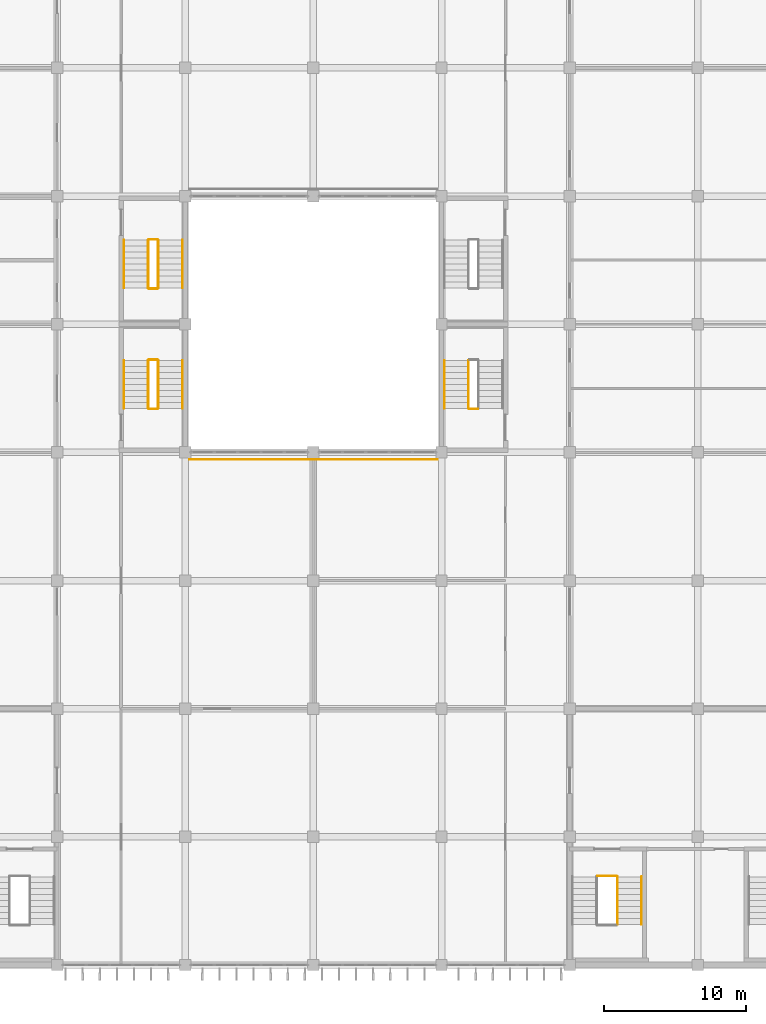
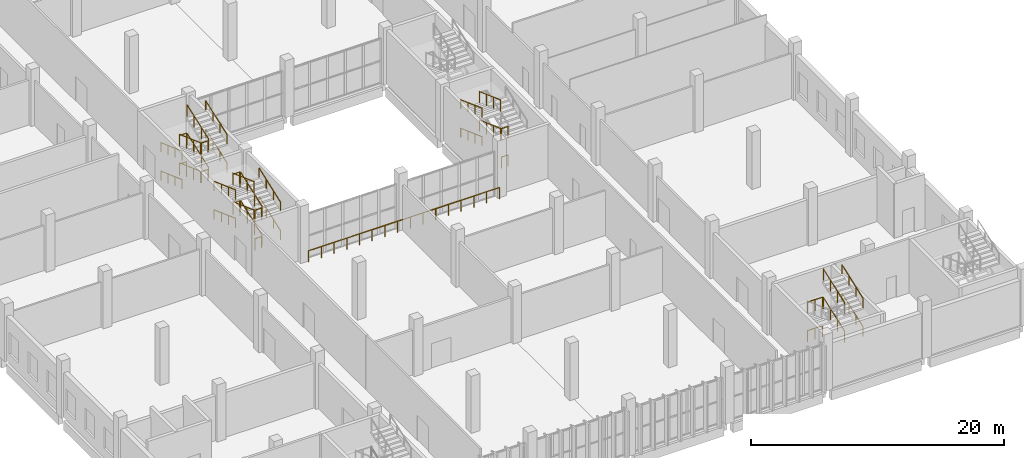
# One storey, part 165 of 185: 37 railings.
"""IFC4 building model written with IfcOpenShell, lengths in metres."""

import ifcopenshell
import ifcopenshell.guid

model = None  # the IFC model being written
_history = None  # IfcOwnerHistory: only IFC2X3 demands one
_inside = {}  # id of a spatial element -> (the spatial element, [elements in it])
_under = {}  # id of a project, library or spatial element -> (it, [spatial elements below it])
_declared = {}  # id of a project -> (the project, [libraries it declares])
_typed = {}  # id of a type object -> (the type object, [elements of that type])
_made_of = {}  # id of a material, layer set ... -> (it, [elements and type objects made of it])


def new_model(schema):
    """Start an empty IFC model of exactly this schema.

    Asked for "IFC4X3", IfcOpenShell would pick the latest addendum, in which some entities
    have other attributes; the version numbers below select the first issue.
    IFC2X3 requires an IfcOwnerHistory on every rooted entity: one is made here for all.
    """
    global model, _history
    if schema == "IFC4X3":
        model = ifcopenshell.file(schema_version=(4, 3, 0, 0))
    else:
        model = ifcopenshell.file(schema=schema)
    _inside.clear()
    _under.clear()
    _declared.clear()
    _typed.clear()
    _made_of.clear()
    _history = None
    if model.schema == "IFC2X3":
        org = make("IfcOrganization", Name="unknown")
        user = make(
            "IfcPersonAndOrganization",
            ThePerson=make("IfcPerson", FamilyName="unknown"),
            TheOrganization=org,
        )
        app = make(
            "IfcApplication",
            ApplicationDeveloper=org,
            Version="unknown",
            ApplicationFullName="unknown",
            ApplicationIdentifier="unknown",
        )
        _history = make(
            "IfcOwnerHistory",
            OwningUser=user,
            OwningApplication=app,
            ChangeAction="ADDED",
            CreationDate=0,
        )
    return model


def make(cls, **values):
    """One entity of the class cls with the attributes given. An attribute that is None is left unset."""
    return model.create_entity(
        cls, **{name: value for name, value in values.items() if value is not None}
    )


def rooted(cls, **values):
    """An entity with a GlobalId (a new one), such as an element, a storey or a relation."""
    return make(cls, GlobalId=ifcopenshell.guid.new(), OwnerHistory=_history, **values)


def si_unit(unit_type, name, prefix=None):
    """IfcSIUnit, for example si_unit("LENGTHUNIT", "METRE", prefix="MILLI")."""
    return make("IfcSIUnit", UnitType=unit_type, Prefix=prefix, Name=name)


def assignment(units):
    """IfcUnitAssignment: the units of a project."""
    return None if units is None else make("IfcUnitAssignment", Units=units)


def point(xyz):
    """IfcCartesianPoint."""
    return None if xyz is None else make("IfcCartesianPoint", Coordinates=xyz)


def direction(xyz):
    """IfcDirection."""
    return None if xyz is None else make("IfcDirection", DirectionRatios=xyz)


def frame(location, z_axis=None, x_axis=None):
    """IfcAxis2Placement3D, a coordinate frame: its origin and axes. An axis left out is left unset."""
    return make(
        "IfcAxis2Placement3D",
        Location=point(location),
        Axis=direction(z_axis),
        RefDirection=direction(x_axis),
    )


def frame_2d(location, x_axis=None):
    """IfcAxis2Placement2D, a coordinate frame in the plane: its origin and x axis."""
    return make(
        "IfcAxis2Placement2D", Location=point(location), RefDirection=direction(x_axis)
    )


def origin():
    """The frame at (0, 0, 0) with its axes left unset."""
    return frame((0.0, 0.0, 0.0))


def origin_2d():
    """The frame at (0, 0) in the plane with its x axis left unset."""
    return frame_2d((0.0, 0.0))


def place(relative_to, where):
    """IfcLocalPlacement: puts the frame where relative to a parent placement (None: the world)."""
    return make(
        "IfcLocalPlacement", PlacementRelTo=relative_to, RelativePlacement=where
    )


def context(
    kind, dimensions, precision=None, world=None, true_north=None, identifier=None
):
    """IfcGeometricRepresentationContext, for example the 3D "Model" context."""
    return make(
        "IfcGeometricRepresentationContext",
        ContextIdentifier=identifier,
        ContextType=kind,
        CoordinateSpaceDimension=dimensions,
        Precision=precision,
        WorldCoordinateSystem=world,
        TrueNorth=true_north,
    )


def subcontext(parent, identifier, kind, view, scale=None):
    """IfcGeometricRepresentationSubContext, for example "Body" below "Model"."""
    return make(
        "IfcGeometricRepresentationSubContext",
        ContextIdentifier=identifier,
        ContextType=kind,
        ParentContext=parent,
        TargetScale=scale,
        TargetView=view,
    )


def project(units=None, contexts=None):
    """IfcProject with its units and contexts."""
    return rooted(
        "IfcProject",
        Name="project",
        RepresentationContexts=contexts,
        UnitsInContext=assignment(units),
    )


def spatial(cls, under=None, at=None, **own):
    """A site, building, storey or space (cls), placed at a placement, below another one or the project."""
    s = rooted(cls, ObjectPlacement=at, **own)
    if under is not None:
        _under.setdefault(under.id(), (under, []))[1].append(s)
    return s


def profile(cls, at=None, kind="AREA", **sizes):
    """A parametric profile (cls). Its sizes go by their IFC names, for example OverallWidth=200.0."""
    return make(cls, ProfileType=kind, Position=at, **sizes)


def circle(**sizes):
    """IfcCircleProfileDef."""
    return profile("IfcCircleProfileDef", **sizes)


def extrude(swept, where, along, depth):
    """IfcExtrudedAreaSolid: the profile swept, set in the frame where, extruded along a direction by depth."""
    return make(
        "IfcExtrudedAreaSolid",
        SweptArea=swept,
        Position=where,
        ExtrudedDirection=direction(along),
        Depth=depth,
    )


def shape(context_of_items, identifier, shape_type, items):
    """IfcShapeRepresentation: the items that make up one representation, for example the "Body"."""
    return make(
        "IfcShapeRepresentation",
        ContextOfItems=context_of_items,
        RepresentationIdentifier=identifier,
        RepresentationType=shape_type,
        Items=items,
    )


def material(Name=None, Category=None):
    """IfcMaterial."""
    return make("IfcMaterial", Name=Name, Category=Category)


def constituent(of_material, Name=None, Category=None, fraction=None):
    """IfcMaterialConstituent: one of the materials an element consists of."""
    return make(
        "IfcMaterialConstituent",
        Name=Name,
        Material=of_material,
        Fraction=fraction,
        Category=Category,
    )


def constituent_set(constituents=None, Name=None):
    """IfcMaterialConstituentSet."""
    return make(
        "IfcMaterialConstituentSet", Name=Name, MaterialConstituents=constituents
    )


def made_of(thing, what):
    """Note that an element or type object is made of a material, layer set ...; save() writes the relation."""
    if what is not None:
        _made_of.setdefault(what.id(), (what, []))[1].append(thing)
    return thing


def type_object(cls, material=None, **own):
    """A type object (cls), such as IfcWallType, which elements share."""
    return made_of(rooted(cls, **own), material)


def element(
    cls,
    number,
    at=None,
    inside=None,
    cuts=None,
    type_object=None,
    material=None,
    context=None,
    identifier="Body",
    shape_type=None,
    held_by="IfcProductDefinitionShape",
    body=None,
    shapes=None,
    **own,
):
    """One element of the class cls, such as IfcWall. Its Tag is "e" and its number.

    at: its placement. inside: the storey or other place that contains it. cuts: it is an
    opening in that element (IfcRelVoidsElement). A single representation is given by context,
    identifier, shape_type and body (its items); several are given by shapes. held_by: the class
    of the entity that holds the representations. save() writes the other relations.
    """
    e = rooted(cls, Tag="e%d" % number, ObjectPlacement=at, **own)
    if body is not None:
        shapes = [shape(context, identifier, shape_type, body)]
    if shapes is not None:
        e.Representation = make(held_by, Representations=shapes)
    if inside is not None:
        _inside.setdefault(inside.id(), (inside, []))[1].append(e)
    if cuts is not None:
        rooted(
            "IfcRelVoidsElement", RelatingBuildingElement=cuts, RelatedOpeningElement=e
        )
    if type_object is not None:
        _typed.setdefault(type_object.id(), (type_object, []))[1].append(e)
    return made_of(e, material)


def aggregate(whole, parts):
    """IfcRelAggregates: a whole, such as a stair, and the parts it consists of."""
    return rooted("IfcRelAggregates", RelatingObject=whole, RelatedObjects=parts)


def save(model, path):
    """Write the relations noted so far, then the file.

    IfcRelAggregates (storeys below a building ...), IfcRelContainedInSpatialStructure (elements
    in a storey), IfcRelDefinesByType, IfcRelAssociatesMaterial and IfcRelDeclares: one each for
    every whole, place, type object, material and project.
    """
    for whole, parts in _under.values():
        aggregate(whole, parts)
    for where, things in _inside.values():
        rooted(
            "IfcRelContainedInSpatialStructure",
            RelatedElements=things,
            RelatingStructure=where,
        )
    for kind, things in _typed.values():
        rooted("IfcRelDefinesByType", RelatedObjects=things, RelatingType=kind)
    for what, things in _made_of.values():
        rooted("IfcRelAssociatesMaterial", RelatedObjects=things, RelatingMaterial=what)
    for by, libraries in _declared.values():
        rooted("IfcRelDeclares", RelatingContext=by, RelatedDefinitions=libraries)
    model.write(path)


model = new_model("IFC4")

# Units and contexts
model_context = context("Model", 3, precision=1e-05, world=origin(), true_north=direction((0.0, 1.0)))
body_context = subcontext(model_context, "Body", "Model", "MODEL_VIEW")
ifc_project = project(units=[si_unit("LENGTHUNIT", "METRE"), si_unit("AREAUNIT", "SQUARE_METRE"), si_unit("VOLUMEUNIT", "CUBIC_METRE"), si_unit("PLANEANGLEUNIT", "RADIAN"), si_unit("MASSUNIT", "GRAM", prefix="KILO")], contexts=[model_context])

# Site, building, storey
site_placement = place(None, origin())
site = spatial("IfcSite", under=ifc_project, at=site_placement, CompositionType="ELEMENT")
building_placement = place(site_placement, origin())
building = spatial("IfcBuilding", under=site, at=building_placement, Name="Opaline Strait Convention Centre", CompositionType="ELEMENT")
storey_placement = place(building_placement, frame((0.0, 0.0, 6.0)))
storey = spatial("IfcBuildingStorey", under=building, at=storey_placement, Name="L01", CompositionType="ELEMENT", Elevation=6.0)

# Railings
ifc_material_1 = material(Name="Steel Q235B", Category="steel")
ifc_constituent_1 = constituent(ifc_material_1, Name="Frame")
ifc_material_2 = material(Name="Safety glass, bonded interlayer", Category="glass")
ifc_constituent_2 = constituent(ifc_material_2, Name="Infill")
ifc_constituent_set_1 = constituent_set(constituents=[ifc_constituent_1, ifc_constituent_2], Name="Steel Q235B, Safety glass, bonded interlayer")
railing_type_1 = type_object("IfcRailingType", Name="Court guard 1100 Q235B and glass", PredefinedType="GUARDRAIL", material=ifc_constituent_set_1)
railing_1_placement = place(storey_placement, frame((36.300048828125, 44.5, 0.0)))
element("IfcRailing", 1, at=railing_1_placement, inside=storey, type_object=railing_type_1, Name="L01 court edge guard S", PredefinedType="GUARDRAIL", context=body_context, shape_type="SweptSolid", body=[
    extrude(circle(Radius=0.02392578125, at=origin_2d()), frame((0.0, 0.0, 1.076171875), z_axis=(1.0, 0.0, 0.0), x_axis=(0.0, 1.0, 0.0)), (0.0, 0.0, 1.0), 17.39990234375),
    extrude(circle(Radius=0.02099609375, at=origin_2d()), origin(), (0.0, 0.0, 1.0), 1.052001953125),
    extrude(circle(Radius=0.02099609375, at=origin_2d()), frame((1.159912109375, 0.0, 0.0)), (0.0, 0.0, 1.0), 1.052001953125),
    extrude(circle(Radius=0.02099609375, at=origin_2d()), frame((2.320068359375, 0.0, 0.0)), (0.0, 0.0, 1.0), 1.052001953125),
    extrude(circle(Radius=0.02099609375, at=origin_2d()), frame((3.47998046875, 0.0, 0.0)), (0.0, 0.0, 1.0), 1.052001953125),
    extrude(circle(Radius=0.02099609375, at=origin_2d()), frame((4.639892578125, 0.0, 0.0)), (0.0, 0.0, 1.0), 1.052001953125),
    extrude(circle(Radius=0.02099609375, at=origin_2d()), frame((5.800048828125, 0.0, 0.0)), (0.0, 0.0, 1.0), 1.052001953125),
    extrude(circle(Radius=0.02099609375, at=origin_2d()), frame((6.9599609375, 0.0, 0.0)), (0.0, 0.0, 1.0), 1.052001953125),
    extrude(circle(Radius=0.02099609375, at=origin_2d()), frame((8.119873046875, 0.0, 0.0)), (0.0, 0.0, 1.0), 1.052001953125),
    extrude(circle(Radius=0.02099609375, at=origin_2d()), frame((9.280029296875, 0.0, 0.0)), (0.0, 0.0, 1.0), 1.052001953125),
    extrude(circle(Radius=0.02099609375, at=origin_2d()), frame((10.43994140625, 0.0, 0.0)), (0.0, 0.0, 1.0), 1.052001953125),
    extrude(circle(Radius=0.02099609375, at=origin_2d()), frame((11.599853515625, 0.0, 0.0)), (0.0, 0.0, 1.0), 1.052001953125),
    extrude(circle(Radius=0.02099609375, at=origin_2d()), frame((12.760009765625, 0.0, 0.0)), (0.0, 0.0, 1.0), 1.052001953125),
    extrude(circle(Radius=0.02099609375, at=origin_2d()), frame((13.919921875, 0.0, 0.0)), (0.0, 0.0, 1.0), 1.052001953125),
    extrude(circle(Radius=0.02099609375, at=origin_2d()), frame((15.079833984375, 0.0, 0.0)), (0.0, 0.0, 1.0), 1.052001953125),
    extrude(circle(Radius=0.02099609375, at=origin_2d()), frame((16.239990234375, 0.0, 0.0)), (0.0, 0.0, 1.0), 1.052001953125),
    extrude(circle(Radius=0.02099609375, at=origin_2d()), frame((17.39990234375, 0.0, 0.0)), (0.0, 0.0, 1.0), 1.052001953125),
])
ifc_constituent_3 = constituent(ifc_material_1, Name="Frame")
ifc_constituent_4 = constituent(ifc_material_2, Name="Infill")
ifc_constituent_set_2 = constituent_set(constituents=[ifc_constituent_3, ifc_constituent_4], Name="Steel Q235B, Safety glass, bonded interlayer")
railing_type_2 = type_object("IfcRailingType", Name="Stair guard 1100 Q235B and glass", PredefinedType="GUARDRAIL", material=ifc_constituent_set_2)
railing_2_placement = place(storey_placement, frame((66.35009765625, 11.840087890625, 1.52783203125)))
element("IfcRailing", 2, at=railing_2_placement, inside=storey, type_object=railing_type_2, Name="L01 SEB stair guard 3", PredefinedType="GUARDRAIL", context=body_context, shape_type="SweptSolid", body=[
    extrude(circle(Radius=0.02392578125, at=origin_2d()), frame((0.0, 0.0, 1.076171875), z_axis=(0.0, 0.93975753056, 0.341841752506), x_axis=(-1.0, 0.0, 0.0)), (0.0, 0.0, 1.0), 3.5751953125),
    extrude(circle(Radius=0.02099609375, at=origin_2d()), origin(), (0.0, 0.0, 1.0), 1.052001953125),
    extrude(circle(Radius=0.02099609375, at=origin_2d()), frame((0.0, 1.119873046875, 0.407470703125)), (0.0, 0.0, 1.0), 1.052001953125),
    extrude(circle(Radius=0.02099609375, at=origin_2d()), frame((0.0, 2.239990234375, 0.814697265625)), (0.0, 0.0, 1.0), 1.052001953125),
    extrude(circle(Radius=0.02099609375, at=origin_2d()), frame((0.0, 3.35986328125, 1.22216796875)), (0.0, 0.0, 1.0), 1.052001953125),
])
railing_3_placement = place(storey_placement, frame((64.949951171875, 15.25, 2.75)))
element("IfcRailing", 3, at=railing_3_placement, inside=storey, type_object=railing_type_2, Name="L01 SEB stair guard 4", PredefinedType="GUARDRAIL", context=body_context, shape_type="SweptSolid", body=[
    extrude(circle(Radius=0.02392578125, at=origin_2d()), frame((0.0, 0.0, 1.076171875), z_axis=(1.0, 0.0, 0.0), x_axis=(0.0, 1.0, 0.0)), (0.0, 0.0, 1.0), 1.35009765625),
    extrude(circle(Radius=0.02099609375, at=origin_2d()), origin(), (0.0, 0.0, 1.0), 1.052001953125),
    extrude(circle(Radius=0.02099609375, at=origin_2d()), frame((0.675048828125, 0.0, 0.0)), (0.0, 0.0, 1.0), 1.052001953125),
    extrude(circle(Radius=0.02099609375, at=origin_2d()), frame((1.35009765625, 0.0, 0.0)), (0.0, 0.0, 1.0), 1.052001953125),
])
railing_4_placement = place(storey_placement, frame((66.35009765625, 11.840087890625, 4.27783203125)))
element("IfcRailing", 4, at=railing_4_placement, inside=storey, type_object=railing_type_2, Name="L01 SEB stair guard 7", PredefinedType="GUARDRAIL", context=body_context, shape_type="SweptSolid", body=[
    extrude(circle(Radius=0.02392578125, at=origin_2d()), frame((0.0, 0.0, 1.076171875), z_axis=(0.0, 0.93975753056, 0.341841752506), x_axis=(-1.0, 0.0, 0.0)), (0.0, 0.0, 1.0), 3.5751953125),
    extrude(circle(Radius=0.02099609375, at=origin_2d()), origin(), (0.0, 0.0, 1.0), 1.052001953125),
    extrude(circle(Radius=0.02099609375, at=origin_2d()), frame((0.0, 1.119873046875, 0.407470703125)), (0.0, 0.0, 1.0), 1.052001953125),
    extrude(circle(Radius=0.02099609375, at=origin_2d()), frame((0.0, 2.239990234375, 0.814697265625)), (0.0, 0.0, 1.0), 1.052001953125),
    extrude(circle(Radius=0.02099609375, at=origin_2d()), frame((0.0, 3.35986328125, 1.22216796875)), (0.0, 0.0, 1.0), 1.052001953125),
])
railing_5_placement = place(storey_placement, frame((64.949951171875, 15.25, 0.0)))
element("IfcRailing", 5, at=railing_5_placement, inside=storey, type_object=railing_type_2, Name="L01 SEB stair guard 8", PredefinedType="GUARDRAIL", context=body_context, shape_type="SweptSolid", body=[
    extrude(circle(Radius=0.02392578125, at=origin_2d()), frame((0.0, 0.0, 1.076171875), z_axis=(1.0, 0.0, 0.0), x_axis=(0.0, 1.0, 0.0)), (0.0, 0.0, 1.0), 1.35009765625),
    extrude(circle(Radius=0.02099609375, at=origin_2d()), origin(), (0.0, 0.0, 1.0), 1.052001953125),
    extrude(circle(Radius=0.02099609375, at=origin_2d()), frame((0.675048828125, 0.0, 0.0)), (0.0, 0.0, 1.0), 1.052001953125),
    extrude(circle(Radius=0.02099609375, at=origin_2d()), frame((1.35009765625, 0.0, 0.0)), (0.0, 0.0, 1.0), 1.052001953125),
])
railing_6_placement = place(storey_placement, frame((55.89990234375, 51.4599609375, 1.52783203125)))
element("IfcRailing", 6, at=railing_6_placement, inside=storey, type_object=railing_type_2, Name="L01 ME1 stair guard 3", PredefinedType="GUARDRAIL", context=body_context, shape_type="SweptSolid", body=[
    extrude(circle(Radius=0.02392578125, at=origin_2d()), frame((0.0, 0.0, 1.076171875), z_axis=(0.0, -0.93975753056, 0.341841752506), x_axis=(1.0, 0.0, 0.0)), (0.0, 0.0, 1.0), 3.5751953125),
    extrude(circle(Radius=0.02099609375, at=origin_2d()), origin(), (0.0, 0.0, 1.0), 1.052001953125),
    extrude(circle(Radius=0.02099609375, at=origin_2d()), frame((0.0, -1.119873046875, 0.407470703125)), (0.0, 0.0, 1.0), 1.052001953125),
    extrude(circle(Radius=0.02099609375, at=origin_2d()), frame((0.0, -2.239990234375, 0.814697265625)), (0.0, 0.0, 1.0), 1.052001953125),
    extrude(circle(Radius=0.02099609375, at=origin_2d()), frame((0.0, -3.35986328125, 1.22216796875)), (0.0, 0.0, 1.0), 1.052001953125),
])
railing_7_placement = place(storey_placement, frame((56.550048828125, 48.050048828125, 2.75)))
element("IfcRailing", 7, at=railing_7_placement, inside=storey, type_object=railing_type_2, Name="L01 ME1 stair guard 4", PredefinedType="GUARDRAIL", context=body_context, shape_type="SweptSolid", body=[
    extrude(circle(Radius=0.02392578125, at=origin_2d()), frame((0.0, 0.0, 1.076171875), z_axis=(-1.0, 0.0, 0.0), x_axis=(0.0, -1.0, 0.0)), (0.0, 0.0, 1.0), 0.60009765625),
    extrude(circle(Radius=0.02099609375, at=origin_2d()), origin(), (0.0, 0.0, 1.0), 1.052001953125),
    extrude(circle(Radius=0.02099609375, at=origin_2d()), frame((-0.60009765625, 0.0, 0.0)), (0.0, 0.0, 1.0), 1.052001953125),
])
railing_8_placement = place(storey_placement, frame((55.89990234375, 51.4599609375, 4.27783203125)))
element("IfcRailing", 8, at=railing_8_placement, inside=storey, type_object=railing_type_2, Name="L01 ME1 stair guard 7", PredefinedType="GUARDRAIL", context=body_context, shape_type="SweptSolid", body=[
    extrude(circle(Radius=0.02392578125, at=origin_2d()), frame((0.0, 0.0, 1.076171875), z_axis=(0.0, -0.93975753056, 0.341841752506), x_axis=(1.0, 0.0, 0.0)), (0.0, 0.0, 1.0), 3.5751953125),
    extrude(circle(Radius=0.02099609375, at=origin_2d()), origin(), (0.0, 0.0, 1.0), 1.052001953125),
    extrude(circle(Radius=0.02099609375, at=origin_2d()), frame((0.0, -1.119873046875, 0.407470703125)), (0.0, 0.0, 1.0), 1.052001953125),
    extrude(circle(Radius=0.02099609375, at=origin_2d()), frame((0.0, -2.239990234375, 0.814697265625)), (0.0, 0.0, 1.0), 1.052001953125),
    extrude(circle(Radius=0.02099609375, at=origin_2d()), frame((0.0, -3.35986328125, 1.22216796875)), (0.0, 0.0, 1.0), 1.052001953125),
])
railing_9_placement = place(storey_placement, frame((56.550048828125, 48.050048828125, 0.0)))
element("IfcRailing", 9, at=railing_9_placement, inside=storey, type_object=railing_type_2, Name="L01 ME1 stair guard 8", PredefinedType="GUARDRAIL", context=body_context, shape_type="SweptSolid", body=[
    extrude(circle(Radius=0.02392578125, at=origin_2d()), frame((0.0, 0.0, 1.076171875), z_axis=(-1.0, 0.0, 0.0), x_axis=(0.0, -1.0, 0.0)), (0.0, 0.0, 1.0), 0.60009765625),
    extrude(circle(Radius=0.02099609375, at=origin_2d()), origin(), (0.0, 0.0, 1.0), 1.052001953125),
    extrude(circle(Radius=0.02099609375, at=origin_2d()), frame((-0.60009765625, 0.0, 0.0)), (0.0, 0.0, 1.0), 1.052001953125),
])
railing_10_placement = place(storey_placement, frame((34.10009765625, 48.10009765625, 0.15283203125)))
element("IfcRailing", 10, at=railing_10_placement, inside=storey, type_object=railing_type_2, Name="L01 MW1 stair guard 1", PredefinedType="GUARDRAIL", context=body_context, shape_type="SweptSolid", body=[
    extrude(circle(Radius=0.02392578125, at=origin_2d()), frame((0.0, 0.0, 1.076171875), z_axis=(0.0, 0.93975753056, 0.341841752506), x_axis=(-1.0, 0.0, 0.0)), (0.0, 0.0, 1.0), 3.5751953125),
    extrude(circle(Radius=0.02099609375, at=origin_2d()), origin(), (0.0, 0.0, 1.0), 1.052001953125),
    extrude(circle(Radius=0.02099609375, at=origin_2d()), frame((0.0, 1.119873046875, 0.407470703125)), (0.0, 0.0, 1.0), 1.052001953125),
    extrude(circle(Radius=0.02099609375, at=origin_2d()), frame((0.0, 2.239990234375, 0.814697265625)), (0.0, 0.0, 1.0), 1.052001953125),
    extrude(circle(Radius=0.02099609375, at=origin_2d()), frame((0.0, 3.35986328125, 1.22216796875)), (0.0, 0.0, 1.0), 1.052001953125),
])
railing_11_placement = place(storey_placement, frame((34.050048828125, 51.510009765625, 1.375)))
element("IfcRailing", 11, at=railing_11_placement, inside=storey, type_object=railing_type_2, Name="L01 MW1 stair guard 2", PredefinedType="GUARDRAIL", context=body_context, shape_type="SweptSolid", body=[
    extrude(circle(Radius=0.02392578125, at=origin_2d()), frame((0.0, 0.0, 1.076171875), z_axis=(-1.0, 0.0, 0.0), x_axis=(0.0, -1.0, 0.0)), (0.0, 0.0, 1.0), 0.60009765625),
    extrude(circle(Radius=0.02099609375, at=origin_2d()), origin(), (0.0, 0.0, 1.0), 1.052001953125),
    extrude(circle(Radius=0.02099609375, at=origin_2d()), frame((-0.60009765625, 0.0, 0.0)), (0.0, 0.0, 1.0), 1.052001953125),
])
railing_12_placement = place(storey_placement, frame((33.39990234375, 51.4599609375, 1.52783203125)))
element("IfcRailing", 12, at=railing_12_placement, inside=storey, type_object=railing_type_2, Name="L01 MW1 stair guard 3", PredefinedType="GUARDRAIL", context=body_context, shape_type="SweptSolid", body=[
    extrude(circle(Radius=0.02392578125, at=origin_2d()), frame((0.0, 0.0, 1.076171875), z_axis=(0.0, -0.93975753056, 0.341841752506), x_axis=(1.0, 0.0, 0.0)), (0.0, 0.0, 1.0), 3.5751953125),
    extrude(circle(Radius=0.02099609375, at=origin_2d()), origin(), (0.0, 0.0, 1.0), 1.052001953125),
    extrude(circle(Radius=0.02099609375, at=origin_2d()), frame((0.0, -1.119873046875, 0.407470703125)), (0.0, 0.0, 1.0), 1.052001953125),
    extrude(circle(Radius=0.02099609375, at=origin_2d()), frame((0.0, -2.239990234375, 0.814697265625)), (0.0, 0.0, 1.0), 1.052001953125),
    extrude(circle(Radius=0.02099609375, at=origin_2d()), frame((0.0, -3.35986328125, 1.22216796875)), (0.0, 0.0, 1.0), 1.052001953125),
])
railing_13_placement = place(storey_placement, frame((34.050048828125, 48.050048828125, 2.75)))
element("IfcRailing", 13, at=railing_13_placement, inside=storey, type_object=railing_type_2, Name="L01 MW1 stair guard 4", PredefinedType="GUARDRAIL", context=body_context, shape_type="SweptSolid", body=[
    extrude(circle(Radius=0.02392578125, at=origin_2d()), frame((0.0, 0.0, 1.076171875), z_axis=(-1.0, 0.0, 0.0), x_axis=(0.0, -1.0, 0.0)), (0.0, 0.0, 1.0), 0.60009765625),
    extrude(circle(Radius=0.02099609375, at=origin_2d()), origin(), (0.0, 0.0, 1.0), 1.052001953125),
    extrude(circle(Radius=0.02099609375, at=origin_2d()), frame((-0.60009765625, 0.0, 0.0)), (0.0, 0.0, 1.0), 1.052001953125),
])
railing_14_placement = place(storey_placement, frame((34.10009765625, 48.10009765625, 2.90283203125)))
element("IfcRailing", 14, at=railing_14_placement, inside=storey, type_object=railing_type_2, Name="L01 MW1 stair guard 5", PredefinedType="GUARDRAIL", context=body_context, shape_type="SweptSolid", body=[
    extrude(circle(Radius=0.02392578125, at=origin_2d()), frame((0.0, 0.0, 1.076171875), z_axis=(0.0, 0.93975753056, 0.341841752506), x_axis=(-1.0, 0.0, 0.0)), (0.0, 0.0, 1.0), 3.5751953125),
    extrude(circle(Radius=0.02099609375, at=origin_2d()), origin(), (0.0, 0.0, 1.0), 1.052001953125),
    extrude(circle(Radius=0.02099609375, at=origin_2d()), frame((0.0, 1.119873046875, 0.407470703125)), (0.0, 0.0, 1.0), 1.052001953125),
    extrude(circle(Radius=0.02099609375, at=origin_2d()), frame((0.0, 2.239990234375, 0.814697265625)), (0.0, 0.0, 1.0), 1.052001953125),
    extrude(circle(Radius=0.02099609375, at=origin_2d()), frame((0.0, 3.35986328125, 1.22216796875)), (0.0, 0.0, 1.0), 1.052001953125),
])
railing_15_placement = place(storey_placement, frame((34.050048828125, 51.510009765625, 4.125)))
element("IfcRailing", 15, at=railing_15_placement, inside=storey, type_object=railing_type_2, Name="L01 MW1 stair guard 6", PredefinedType="GUARDRAIL", context=body_context, shape_type="SweptSolid", body=[
    extrude(circle(Radius=0.02392578125, at=origin_2d()), frame((0.0, 0.0, 1.076171875), z_axis=(-1.0, 0.0, 0.0), x_axis=(0.0, -1.0, 0.0)), (0.0, 0.0, 1.0), 0.60009765625),
    extrude(circle(Radius=0.02099609375, at=origin_2d()), origin(), (0.0, 0.0, 1.0), 1.052001953125),
    extrude(circle(Radius=0.02099609375, at=origin_2d()), frame((-0.60009765625, 0.0, 0.0)), (0.0, 0.0, 1.0), 1.052001953125),
])
railing_16_placement = place(storey_placement, frame((33.39990234375, 51.4599609375, 4.27783203125)))
element("IfcRailing", 16, at=railing_16_placement, inside=storey, type_object=railing_type_2, Name="L01 MW1 stair guard 7", PredefinedType="GUARDRAIL", context=body_context, shape_type="SweptSolid", body=[
    extrude(circle(Radius=0.02392578125, at=origin_2d()), frame((0.0, 0.0, 1.076171875), z_axis=(0.0, -0.93975753056, 0.341841752506), x_axis=(1.0, 0.0, 0.0)), (0.0, 0.0, 1.0), 3.5751953125),
    extrude(circle(Radius=0.02099609375, at=origin_2d()), origin(), (0.0, 0.0, 1.0), 1.052001953125),
    extrude(circle(Radius=0.02099609375, at=origin_2d()), frame((0.0, -1.119873046875, 0.407470703125)), (0.0, 0.0, 1.0), 1.052001953125),
    extrude(circle(Radius=0.02099609375, at=origin_2d()), frame((0.0, -2.239990234375, 0.814697265625)), (0.0, 0.0, 1.0), 1.052001953125),
    extrude(circle(Radius=0.02099609375, at=origin_2d()), frame((0.0, -3.35986328125, 1.22216796875)), (0.0, 0.0, 1.0), 1.052001953125),
])
railing_17_placement = place(storey_placement, frame((34.050048828125, 48.050048828125, 0.0)))
element("IfcRailing", 17, at=railing_17_placement, inside=storey, type_object=railing_type_2, Name="L01 MW1 stair guard 8", PredefinedType="GUARDRAIL", context=body_context, shape_type="SweptSolid", body=[
    extrude(circle(Radius=0.02392578125, at=origin_2d()), frame((0.0, 0.0, 1.076171875), z_axis=(-1.0, 0.0, 0.0), x_axis=(0.0, -1.0, 0.0)), (0.0, 0.0, 1.0), 0.60009765625),
    extrude(circle(Radius=0.02099609375, at=origin_2d()), origin(), (0.0, 0.0, 1.0), 1.052001953125),
    extrude(circle(Radius=0.02099609375, at=origin_2d()), frame((-0.60009765625, 0.0, 0.0)), (0.0, 0.0, 1.0), 1.052001953125),
])
railing_18_placement = place(storey_placement, frame((33.39990234375, 59.89990234375, 0.15283203125)))
element("IfcRailing", 18, at=railing_18_placement, inside=storey, type_object=railing_type_2, Name="L01 MW2 stair guard 1", PredefinedType="GUARDRAIL", context=body_context, shape_type="SweptSolid", body=[
    extrude(circle(Radius=0.02392578125, at=origin_2d()), frame((0.0, 0.0, 1.076171875), z_axis=(0.0, -0.93975753056, 0.341841752506), x_axis=(1.0, 0.0, 0.0)), (0.0, 0.0, 1.0), 3.5751953125),
    extrude(circle(Radius=0.02099609375, at=origin_2d()), origin(), (0.0, 0.0, 1.0), 1.052001953125),
    extrude(circle(Radius=0.02099609375, at=origin_2d()), frame((0.0, -1.119873046875, 0.407470703125)), (0.0, 0.0, 1.0), 1.052001953125),
    extrude(circle(Radius=0.02099609375, at=origin_2d()), frame((0.0, -2.239990234375, 0.814697265625)), (0.0, 0.0, 1.0), 1.052001953125),
    extrude(circle(Radius=0.02099609375, at=origin_2d()), frame((0.0, -3.35986328125, 1.22216796875)), (0.0, 0.0, 1.0), 1.052001953125),
])
railing_19_placement = place(storey_placement, frame((33.449951171875, 56.489990234375, 1.375)))
element("IfcRailing", 19, at=railing_19_placement, inside=storey, type_object=railing_type_2, Name="L01 MW2 stair guard 2", PredefinedType="GUARDRAIL", context=body_context, shape_type="SweptSolid", body=[
    extrude(circle(Radius=0.02392578125, at=origin_2d()), frame((0.0, 0.0, 1.076171875), z_axis=(1.0, 0.0, 0.0), x_axis=(0.0, 1.0, 0.0)), (0.0, 0.0, 1.0), 0.60009765625),
    extrude(circle(Radius=0.02099609375, at=origin_2d()), origin(), (0.0, 0.0, 1.0), 1.052001953125),
    extrude(circle(Radius=0.02099609375, at=origin_2d()), frame((0.60009765625, 0.0, 0.0)), (0.0, 0.0, 1.0), 1.052001953125),
])
railing_20_placement = place(storey_placement, frame((34.10009765625, 56.5400390625, 1.52783203125)))
element("IfcRailing", 20, at=railing_20_placement, inside=storey, type_object=railing_type_2, Name="L01 MW2 stair guard 3", PredefinedType="GUARDRAIL", context=body_context, shape_type="SweptSolid", body=[
    extrude(circle(Radius=0.02392578125, at=origin_2d()), frame((0.0, 0.0, 1.076171875), z_axis=(0.0, 0.93975753056, 0.341841752506), x_axis=(-1.0, 0.0, 0.0)), (0.0, 0.0, 1.0), 3.5751953125),
    extrude(circle(Radius=0.02099609375, at=origin_2d()), origin(), (0.0, 0.0, 1.0), 1.052001953125),
    extrude(circle(Radius=0.02099609375, at=origin_2d()), frame((0.0, 1.119873046875, 0.407470703125)), (0.0, 0.0, 1.0), 1.052001953125),
    extrude(circle(Radius=0.02099609375, at=origin_2d()), frame((0.0, 2.239990234375, 0.814697265625)), (0.0, 0.0, 1.0), 1.052001953125),
    extrude(circle(Radius=0.02099609375, at=origin_2d()), frame((0.0, 3.35986328125, 1.22216796875)), (0.0, 0.0, 1.0), 1.052001953125),
])
railing_21_placement = place(storey_placement, frame((33.449951171875, 59.949951171875, 2.75)))
element("IfcRailing", 21, at=railing_21_placement, inside=storey, type_object=railing_type_2, Name="L01 MW2 stair guard 4", PredefinedType="GUARDRAIL", context=body_context, shape_type="SweptSolid", body=[
    extrude(circle(Radius=0.02392578125, at=origin_2d()), frame((0.0, 0.0, 1.076171875), z_axis=(1.0, 0.0, 0.0), x_axis=(0.0, 1.0, 0.0)), (0.0, 0.0, 1.0), 0.60009765625),
    extrude(circle(Radius=0.02099609375, at=origin_2d()), origin(), (0.0, 0.0, 1.0), 1.052001953125),
    extrude(circle(Radius=0.02099609375, at=origin_2d()), frame((0.60009765625, 0.0, 0.0)), (0.0, 0.0, 1.0), 1.052001953125),
])
railing_22_placement = place(storey_placement, frame((33.39990234375, 59.89990234375, 2.90283203125)))
element("IfcRailing", 22, at=railing_22_placement, inside=storey, type_object=railing_type_2, Name="L01 MW2 stair guard 5", PredefinedType="GUARDRAIL", context=body_context, shape_type="SweptSolid", body=[
    extrude(circle(Radius=0.02392578125, at=origin_2d()), frame((0.0, 0.0, 1.076171875), z_axis=(0.0, -0.93975753056, 0.341841752506), x_axis=(1.0, 0.0, 0.0)), (0.0, 0.0, 1.0), 3.5751953125),
    extrude(circle(Radius=0.02099609375, at=origin_2d()), origin(), (0.0, 0.0, 1.0), 1.052001953125),
    extrude(circle(Radius=0.02099609375, at=origin_2d()), frame((0.0, -1.119873046875, 0.407470703125)), (0.0, 0.0, 1.0), 1.052001953125),
    extrude(circle(Radius=0.02099609375, at=origin_2d()), frame((0.0, -2.239990234375, 0.814697265625)), (0.0, 0.0, 1.0), 1.052001953125),
    extrude(circle(Radius=0.02099609375, at=origin_2d()), frame((0.0, -3.35986328125, 1.22216796875)), (0.0, 0.0, 1.0), 1.052001953125),
])
railing_23_placement = place(storey_placement, frame((33.449951171875, 56.489990234375, 4.125)))
element("IfcRailing", 23, at=railing_23_placement, inside=storey, type_object=railing_type_2, Name="L01 MW2 stair guard 6", PredefinedType="GUARDRAIL", context=body_context, shape_type="SweptSolid", body=[
    extrude(circle(Radius=0.02392578125, at=origin_2d()), frame((0.0, 0.0, 1.076171875), z_axis=(1.0, 0.0, 0.0), x_axis=(0.0, 1.0, 0.0)), (0.0, 0.0, 1.0), 0.60009765625),
    extrude(circle(Radius=0.02099609375, at=origin_2d()), origin(), (0.0, 0.0, 1.0), 1.052001953125),
    extrude(circle(Radius=0.02099609375, at=origin_2d()), frame((0.60009765625, 0.0, 0.0)), (0.0, 0.0, 1.0), 1.052001953125),
])
railing_24_placement = place(storey_placement, frame((34.10009765625, 56.5400390625, 4.27783203125)))
element("IfcRailing", 24, at=railing_24_placement, inside=storey, type_object=railing_type_2, Name="L01 MW2 stair guard 7", PredefinedType="GUARDRAIL", context=body_context, shape_type="SweptSolid", body=[
    extrude(circle(Radius=0.02392578125, at=origin_2d()), frame((0.0, 0.0, 1.076171875), z_axis=(0.0, 0.93975753056, 0.341841752506), x_axis=(-1.0, 0.0, 0.0)), (0.0, 0.0, 1.0), 3.5751953125),
    extrude(circle(Radius=0.02099609375, at=origin_2d()), origin(), (0.0, 0.0, 1.0), 1.052001953125),
    extrude(circle(Radius=0.02099609375, at=origin_2d()), frame((0.0, 1.119873046875, 0.407470703125)), (0.0, 0.0, 1.0), 1.052001953125),
    extrude(circle(Radius=0.02099609375, at=origin_2d()), frame((0.0, 2.239990234375, 0.814697265625)), (0.0, 0.0, 1.0), 1.052001953125),
    extrude(circle(Radius=0.02099609375, at=origin_2d()), frame((0.0, 3.35986328125, 1.22216796875)), (0.0, 0.0, 1.0), 1.052001953125),
])
railing_25_placement = place(storey_placement, frame((33.449951171875, 59.949951171875, 0.0)))
element("IfcRailing", 25, at=railing_25_placement, inside=storey, type_object=railing_type_2, Name="L01 MW2 stair guard 8", PredefinedType="GUARDRAIL", context=body_context, shape_type="SweptSolid", body=[
    extrude(circle(Radius=0.02392578125, at=origin_2d()), frame((0.0, 0.0, 1.076171875), z_axis=(1.0, 0.0, 0.0), x_axis=(0.0, 1.0, 0.0)), (0.0, 0.0, 1.0), 0.60009765625),
    extrude(circle(Radius=0.02099609375, at=origin_2d()), origin(), (0.0, 0.0, 1.0), 1.052001953125),
    extrude(circle(Radius=0.02099609375, at=origin_2d()), frame((0.60009765625, 0.0, 0.0)), (0.0, 0.0, 1.0), 1.052001953125),
])
ifc_material_3 = material(Name="Stainless steel 304", Category="steel")
railing_type_3 = type_object("IfcRailingType", Name="Stair handrail 900 stainless 304", PredefinedType="HANDRAIL", material=ifc_material_3)
for number, where, name in (
    (26, (68.050048828125, 11.840087890625, 1.52783203125), "L01 SEB stair handrail 2"),
    (27, (68.050048828125, 11.840087890625, 4.27783203125), "L01 SEB stair handrail 4"),
):
    element("IfcRailing", number, at=place(storey_placement, frame(where)), inside=storey, type_object=railing_type_3, Name=name, PredefinedType="HANDRAIL", context=body_context, shape_type="SweptSolid", body=[
        extrude(circle(Radius=0.02392578125, at=origin_2d()), frame((0.0, 0.0, 0.8759765625), z_axis=(0.0, 0.93975753056, 0.341841752506), x_axis=(-1.0, 0.0, 0.0)), (0.0, 0.0, 1.0), 3.5751953125),
        extrude(circle(Radius=0.02099609375, at=origin_2d()), origin(), (0.0, 0.0, 1.0), 0.851806640625),
        extrude(circle(Radius=0.02099609375, at=origin_2d()), frame((0.0, 1.119873046875, 0.407470703125)), (0.0, 0.0, 1.0), 0.851806640625),
        extrude(circle(Radius=0.02099609375, at=origin_2d()), frame((0.0, 2.239990234375, 0.814697265625)), (0.0, 0.0, 1.0), 0.851806640625),
        extrude(circle(Radius=0.02099609375, at=origin_2d()), frame((0.0, 3.35986328125, 1.22216796875)), (0.0, 0.0, 1.0), 0.851806640625),
    ])
for number, where, name in (
    (28, (54.199951171875, 51.4599609375, 1.52783203125), "L01 ME1 stair handrail 2"),
    (29, (54.199951171875, 51.4599609375, 4.27783203125), "L01 ME1 stair handrail 4"),
):
    element("IfcRailing", number, at=place(storey_placement, frame(where)), inside=storey, type_object=railing_type_3, Name=name, PredefinedType="HANDRAIL", context=body_context, shape_type="SweptSolid", body=[
        extrude(circle(Radius=0.02392578125, at=origin_2d()), frame((0.0, 0.0, 0.8759765625), z_axis=(0.0, -0.93975753056, 0.341841752506), x_axis=(1.0, 0.0, 0.0)), (0.0, 0.0, 1.0), 3.5751953125),
        extrude(circle(Radius=0.02099609375, at=origin_2d()), origin(), (0.0, 0.0, 1.0), 0.851806640625),
        extrude(circle(Radius=0.02099609375, at=origin_2d()), frame((0.0, -1.119873046875, 0.407470703125)), (0.0, 0.0, 1.0), 0.851806640625),
        extrude(circle(Radius=0.02099609375, at=origin_2d()), frame((0.0, -2.239990234375, 0.814697265625)), (0.0, 0.0, 1.0), 0.851806640625),
        extrude(circle(Radius=0.02099609375, at=origin_2d()), frame((0.0, -3.35986328125, 1.22216796875)), (0.0, 0.0, 1.0), 0.851806640625),
    ])
railing_26_placement = place(storey_placement, frame((35.800048828125, 48.10009765625, 0.15283203125)))
element("IfcRailing", 30, at=railing_26_placement, inside=storey, type_object=railing_type_3, Name="L01 MW1 stair handrail 1", PredefinedType="HANDRAIL", context=body_context, shape_type="SweptSolid", body=[
    extrude(circle(Radius=0.02392578125, at=origin_2d()), frame((0.0, 0.0, 0.8759765625), z_axis=(0.0, 0.93975753056, 0.341841752506), x_axis=(-1.0, 0.0, 0.0)), (0.0, 0.0, 1.0), 3.5751953125),
    extrude(circle(Radius=0.02099609375, at=origin_2d()), origin(), (0.0, 0.0, 1.0), 0.851806640625),
    extrude(circle(Radius=0.02099609375, at=origin_2d()), frame((0.0, 1.119873046875, 0.407470703125)), (0.0, 0.0, 1.0), 0.851806640625),
    extrude(circle(Radius=0.02099609375, at=origin_2d()), frame((0.0, 2.239990234375, 0.814697265625)), (0.0, 0.0, 1.0), 0.851806640625),
    extrude(circle(Radius=0.02099609375, at=origin_2d()), frame((0.0, 3.35986328125, 1.22216796875)), (0.0, 0.0, 1.0), 0.851806640625),
])
railing_27_placement = place(storey_placement, frame((31.699951171875, 51.4599609375, 1.52783203125)))
element("IfcRailing", 31, at=railing_27_placement, inside=storey, type_object=railing_type_3, Name="L01 MW1 stair handrail 2", PredefinedType="HANDRAIL", context=body_context, shape_type="SweptSolid", body=[
    extrude(circle(Radius=0.02392578125, at=origin_2d()), frame((0.0, 0.0, 0.8759765625), z_axis=(0.0, -0.93975753056, 0.341841752506), x_axis=(1.0, 0.0, 0.0)), (0.0, 0.0, 1.0), 3.5751953125),
    extrude(circle(Radius=0.02099609375, at=origin_2d()), origin(), (0.0, 0.0, 1.0), 0.851806640625),
    extrude(circle(Radius=0.02099609375, at=origin_2d()), frame((0.0, -1.119873046875, 0.407470703125)), (0.0, 0.0, 1.0), 0.851806640625),
    extrude(circle(Radius=0.02099609375, at=origin_2d()), frame((0.0, -2.239990234375, 0.814697265625)), (0.0, 0.0, 1.0), 0.851806640625),
    extrude(circle(Radius=0.02099609375, at=origin_2d()), frame((0.0, -3.35986328125, 1.22216796875)), (0.0, 0.0, 1.0), 0.851806640625),
])
railing_28_placement = place(storey_placement, frame((35.800048828125, 48.10009765625, 2.90283203125)))
element("IfcRailing", 32, at=railing_28_placement, inside=storey, type_object=railing_type_3, Name="L01 MW1 stair handrail 3", PredefinedType="HANDRAIL", context=body_context, shape_type="SweptSolid", body=[
    extrude(circle(Radius=0.02392578125, at=origin_2d()), frame((0.0, 0.0, 0.8759765625), z_axis=(0.0, 0.93975753056, 0.341841752506), x_axis=(-1.0, 0.0, 0.0)), (0.0, 0.0, 1.0), 3.5751953125),
    extrude(circle(Radius=0.02099609375, at=origin_2d()), origin(), (0.0, 0.0, 1.0), 0.851806640625),
    extrude(circle(Radius=0.02099609375, at=origin_2d()), frame((0.0, 1.119873046875, 0.407470703125)), (0.0, 0.0, 1.0), 0.851806640625),
    extrude(circle(Radius=0.02099609375, at=origin_2d()), frame((0.0, 2.239990234375, 0.814697265625)), (0.0, 0.0, 1.0), 0.851806640625),
    extrude(circle(Radius=0.02099609375, at=origin_2d()), frame((0.0, 3.35986328125, 1.22216796875)), (0.0, 0.0, 1.0), 0.851806640625),
])
for number, where, name in (
    (33, (31.699951171875, 51.4599609375, 4.27783203125), "L01 MW1 stair handrail 4"),
    (34, (31.699951171875, 59.89990234375, 0.15283203125), "L01 MW2 stair handrail 1"),
):
    element("IfcRailing", number, at=place(storey_placement, frame(where)), inside=storey, type_object=railing_type_3, Name=name, PredefinedType="HANDRAIL", context=body_context, shape_type="SweptSolid", body=[
        extrude(circle(Radius=0.02392578125, at=origin_2d()), frame((0.0, 0.0, 0.8759765625), z_axis=(0.0, -0.93975753056, 0.341841752506), x_axis=(1.0, 0.0, 0.0)), (0.0, 0.0, 1.0), 3.5751953125),
        extrude(circle(Radius=0.02099609375, at=origin_2d()), origin(), (0.0, 0.0, 1.0), 0.851806640625),
        extrude(circle(Radius=0.02099609375, at=origin_2d()), frame((0.0, -1.119873046875, 0.407470703125)), (0.0, 0.0, 1.0), 0.851806640625),
        extrude(circle(Radius=0.02099609375, at=origin_2d()), frame((0.0, -2.239990234375, 0.814697265625)), (0.0, 0.0, 1.0), 0.851806640625),
        extrude(circle(Radius=0.02099609375, at=origin_2d()), frame((0.0, -3.35986328125, 1.22216796875)), (0.0, 0.0, 1.0), 0.851806640625),
    ])
railing_29_placement = place(storey_placement, frame((35.800048828125, 56.5400390625, 1.52783203125)))
element("IfcRailing", 35, at=railing_29_placement, inside=storey, type_object=railing_type_3, Name="L01 MW2 stair handrail 2", PredefinedType="HANDRAIL", context=body_context, shape_type="SweptSolid", body=[
    extrude(circle(Radius=0.02392578125, at=origin_2d()), frame((0.0, 0.0, 0.8759765625), z_axis=(0.0, 0.93975753056, 0.341841752506), x_axis=(-1.0, 0.0, 0.0)), (0.0, 0.0, 1.0), 3.5751953125),
    extrude(circle(Radius=0.02099609375, at=origin_2d()), origin(), (0.0, 0.0, 1.0), 0.851806640625),
    extrude(circle(Radius=0.02099609375, at=origin_2d()), frame((0.0, 1.119873046875, 0.407470703125)), (0.0, 0.0, 1.0), 0.851806640625),
    extrude(circle(Radius=0.02099609375, at=origin_2d()), frame((0.0, 2.239990234375, 0.814697265625)), (0.0, 0.0, 1.0), 0.851806640625),
    extrude(circle(Radius=0.02099609375, at=origin_2d()), frame((0.0, 3.35986328125, 1.22216796875)), (0.0, 0.0, 1.0), 0.851806640625),
])
railing_30_placement = place(storey_placement, frame((31.699951171875, 59.89990234375, 2.90283203125)))
element("IfcRailing", 36, at=railing_30_placement, inside=storey, type_object=railing_type_3, Name="L01 MW2 stair handrail 3", PredefinedType="HANDRAIL", context=body_context, shape_type="SweptSolid", body=[
    extrude(circle(Radius=0.02392578125, at=origin_2d()), frame((0.0, 0.0, 0.8759765625), z_axis=(0.0, -0.93975753056, 0.341841752506), x_axis=(1.0, 0.0, 0.0)), (0.0, 0.0, 1.0), 3.5751953125),
    extrude(circle(Radius=0.02099609375, at=origin_2d()), origin(), (0.0, 0.0, 1.0), 0.851806640625),
    extrude(circle(Radius=0.02099609375, at=origin_2d()), frame((0.0, -1.119873046875, 0.407470703125)), (0.0, 0.0, 1.0), 0.851806640625),
    extrude(circle(Radius=0.02099609375, at=origin_2d()), frame((0.0, -2.239990234375, 0.814697265625)), (0.0, 0.0, 1.0), 0.851806640625),
    extrude(circle(Radius=0.02099609375, at=origin_2d()), frame((0.0, -3.35986328125, 1.22216796875)), (0.0, 0.0, 1.0), 0.851806640625),
])
railing_31_placement = place(storey_placement, frame((35.800048828125, 56.5400390625, 4.27783203125)))
element("IfcRailing", 37, at=railing_31_placement, inside=storey, type_object=railing_type_3, Name="L01 MW2 stair handrail 4", PredefinedType="HANDRAIL", context=body_context, shape_type="SweptSolid", body=[
    extrude(circle(Radius=0.02392578125, at=origin_2d()), frame((0.0, 0.0, 0.8759765625), z_axis=(0.0, 0.93975753056, 0.341841752506), x_axis=(-1.0, 0.0, 0.0)), (0.0, 0.0, 1.0), 3.5751953125),
    extrude(circle(Radius=0.02099609375, at=origin_2d()), origin(), (0.0, 0.0, 1.0), 0.851806640625),
    extrude(circle(Radius=0.02099609375, at=origin_2d()), frame((0.0, 1.119873046875, 0.407470703125)), (0.0, 0.0, 1.0), 0.851806640625),
    extrude(circle(Radius=0.02099609375, at=origin_2d()), frame((0.0, 2.239990234375, 0.814697265625)), (0.0, 0.0, 1.0), 0.851806640625),
    extrude(circle(Radius=0.02099609375, at=origin_2d()), frame((0.0, 3.35986328125, 1.22216796875)), (0.0, 0.0, 1.0), 0.851806640625),
])

save(model, "model.ifc")
